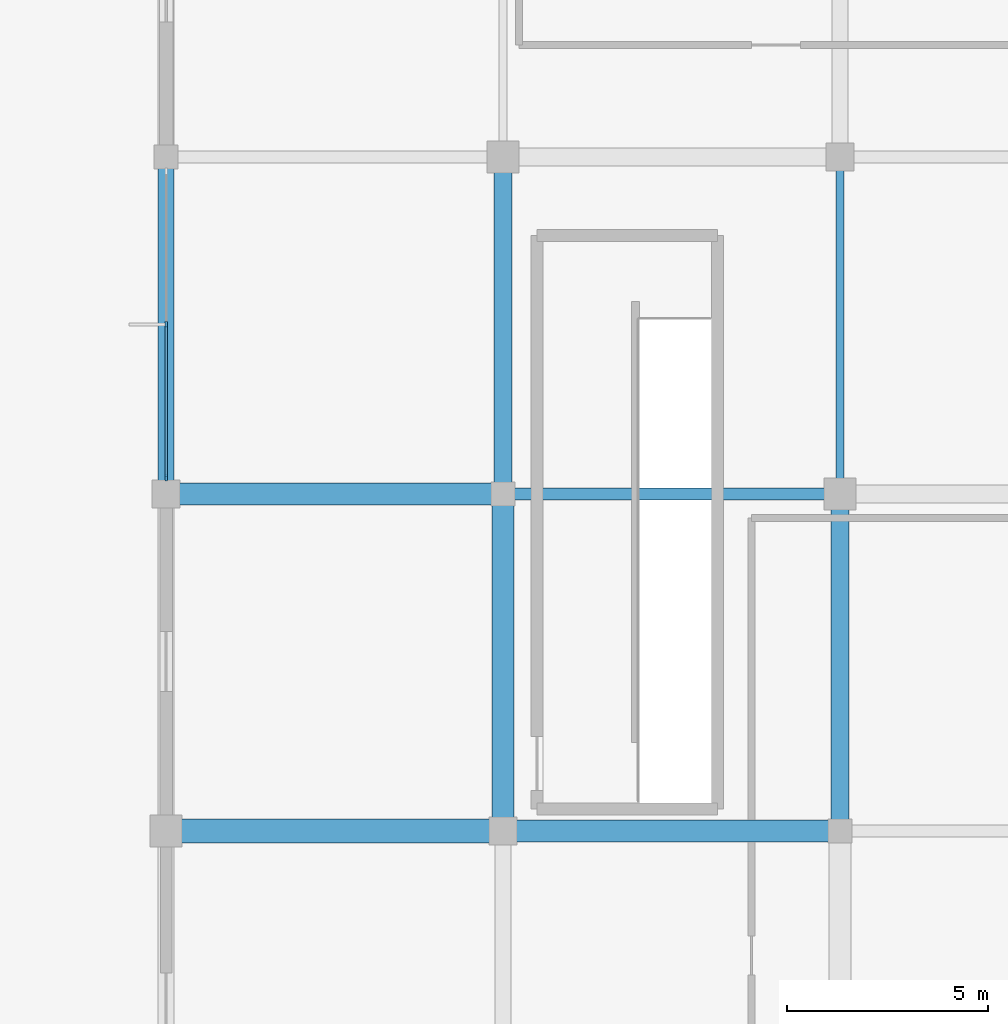
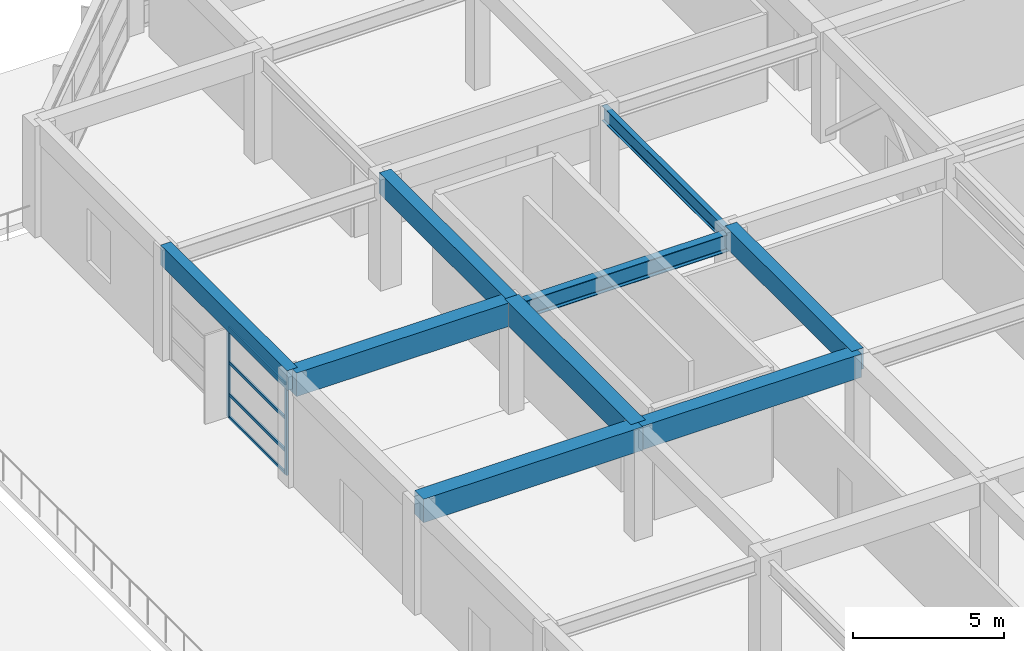
# One storey, part 14 of 56: 9 beams, 6 members, 1 element without a shape of its own.
"""IFC4 building model written with IfcOpenShell, lengths in metres."""

from ifc_helpers import new_model, si_unit, direction, frame, origin, origin_2d, place, context, subcontext, project, spatial, rectangle, i_section, extrude, material, material_profile, profile_set, type_object, element, aggregate, save


model = new_model("IFC4")

# Units and contexts
model_context = context("Model", 3, precision=1e-05, world=origin(), true_north=direction((0.0, 1.0)))
body_context = subcontext(model_context, "Body", "Model", "MODEL_VIEW")
ifc_project = project(units=[si_unit("LENGTHUNIT", "METRE"), si_unit("AREAUNIT", "SQUARE_METRE"), si_unit("VOLUMEUNIT", "CUBIC_METRE"), si_unit("PLANEANGLEUNIT", "RADIAN"), si_unit("MASSUNIT", "GRAM", prefix="KILO")], contexts=[model_context])

# Site, building, storey
site_placement = place(None, origin())
site = spatial("IfcSite", under=ifc_project, at=site_placement, CompositionType="ELEMENT")
building_placement = place(site_placement, origin())
building = spatial("IfcBuilding", under=site, at=building_placement, Name="Xuanlan Plaza Opera House", CompositionType="ELEMENT")
storey_placement = place(building_placement, frame((0.0, 0.0, 18.89990234375)))
storey = spatial("IfcBuildingStorey", under=building, at=storey_placement, Name="L04", CompositionType="ELEMENT", Elevation=18.89990234375)

# Curtain wall, members
ifc_material_1 = material(Name="Anodised Aluminium 6063-T6 and Low-E Glass", Category="aluminium")
curtain_wall_type = type_object("IfcCurtainWallType", Name="ENV-CW-CW-03", PredefinedType="USERDEFINED", material=ifc_material_1)
curtain_wall_placement = place(storey_placement, origin())
curtain_wall = element("IfcCurtainWall", 1, at=curtain_wall_placement, inside=storey, type_object=curtain_wall_type, Name="Unitised Curtain Wall L04-045", ObjectType="UNITISED CURTAIN WALL", PredefinedType="USERDEFINED")
ifc_material_2 = material(Name="Anodised Aluminium 6063-T6", Category="aluminium")
ifc_material_profile_1 = material_profile(ifc_material_2, rectangle(XDim=0.06494140625, YDim=0.159912109375, at=origin_2d()), Name="ALU-M 65x160")
ifc_profile_set_1 = profile_set([ifc_material_profile_1], Name="Anodised Aluminium 6063-T6")
member_type_1 = type_object("IfcMemberType", Name="ENV-CWM-01", PredefinedType="MULLION", material=ifc_profile_set_1)
member_1_placement = place(storey_placement, frame((16.800048828125, 79.824951171875, 0.0), z_axis=(0.0, 0.0, 1.0), x_axis=(1.0, 0.0, 0.0)))
member_1 = element("IfcMember", 2, at=member_1_placement, type_object=member_type_1, Name="CW-03 mullion 2", PredefinedType="MULLION", context=body_context, shape_type="SweptSolid", body=[
    extrude(rectangle(XDim=0.06494140625, YDim=0.159912109375, at=origin_2d()), origin(), (0.0, 0.0, 1.0), 3.68017578125),
])
member_2_placement = place(storey_placement, frame((16.800048828125, 76.00244140625, 0.0), z_axis=(0.0, 0.0, 1.0), x_axis=(1.0, 0.0, 0.0)))
member_2 = element("IfcMember", 3, at=member_2_placement, type_object=member_type_1, Name="CW-03 mullion 3", PredefinedType="MULLION", context=body_context, shape_type="SweptSolid", body=[
    extrude(rectangle(XDim=0.06494140625, YDim=0.159912109375, at=origin_2d()), origin(), (0.0, 0.0, 1.0), 3.68017578125),
])
ifc_material_profile_2 = material_profile(ifc_material_2, rectangle(XDim=0.06494140625, YDim=0.1201171875, at=origin_2d()), Name="ALU-T 65x120")
ifc_profile_set_2 = profile_set([ifc_material_profile_2], Name="Anodised Aluminium 6063-T6")
member_type_2 = type_object("IfcMemberType", Name="ENV-CWT-01", PredefinedType="USERDEFINED", material=ifc_profile_set_2)
member_3_placement = place(storey_placement, frame((16.800048828125, 79.79248046875, 0.03271484375), z_axis=(0.0, -1.0, 0.0), x_axis=(1.0, 0.0, 0.0)))
member_3 = element("IfcMember", 4, at=member_3_placement, type_object=member_type_2, Name="CW-03 transom 2.1", ObjectType="TRANSOM", PredefinedType="USERDEFINED", context=body_context, shape_type="SweptSolid", body=[
    extrude(rectangle(XDim=0.06494140625, YDim=0.1201171875, at=origin_2d()), origin(), (0.0, 0.0, 1.0), 3.757568359375),
])
member_4_placement = place(storey_placement, frame((16.800048828125, 79.79248046875, 0.9501953125), z_axis=(0.0, -1.0, 0.0), x_axis=(1.0, 0.0, 0.0)))
member_4 = element("IfcMember", 5, at=member_4_placement, type_object=member_type_2, Name="CW-03 transom 2.2", ObjectType="TRANSOM", PredefinedType="USERDEFINED", context=body_context, shape_type="SweptSolid", body=[
    extrude(rectangle(XDim=0.06494140625, YDim=0.1201171875, at=origin_2d()), origin(), (0.0, 0.0, 1.0), 3.757568359375),
])
member_5_placement = place(storey_placement, frame((16.800048828125, 79.79248046875, 2.25), z_axis=(0.0, -1.0, 0.0), x_axis=(1.0, 0.0, 0.0)))
member_5 = element("IfcMember", 6, at=member_5_placement, type_object=member_type_2, Name="CW-03 transom 2.3", ObjectType="TRANSOM", PredefinedType="USERDEFINED", context=body_context, shape_type="SweptSolid", body=[
    extrude(rectangle(XDim=0.06494140625, YDim=0.1201171875, at=origin_2d()), origin(), (0.0, 0.0, 1.0), 3.757568359375),
])
member_6_placement = place(storey_placement, frame((16.800048828125, 79.79248046875, 3.647705078125), z_axis=(0.0, -1.0, 0.0), x_axis=(1.0, 0.0, 0.0)))
member_6 = element("IfcMember", 7, at=member_6_placement, type_object=member_type_2, Name="CW-03 transom 2.4", ObjectType="TRANSOM", PredefinedType="USERDEFINED", context=body_context, shape_type="SweptSolid", body=[
    extrude(rectangle(XDim=0.06494140625, YDim=0.1201171875, at=origin_2d()), origin(), (0.0, 0.0, 1.0), 3.757568359375),
])
aggregate(curtain_wall, [member_1, member_2, member_3, member_4, member_5, member_6])

# Beams
ifc_material_3 = material(Name="Concrete C50", Category="concrete")
ifc_material_profile_3 = material_profile(ifc_material_3, rectangle(XDim=0.60009765625, YDim=0.949951171875, at=origin_2d()), Name="RC-BM 600x950")
ifc_profile_set_3 = profile_set([ifc_material_profile_3], Name="Concrete C50")
beam_type_1 = type_object("IfcBeamType", Name="STR-BM-B-01", PredefinedType="BEAM", material=ifc_profile_set_3)
beam_1_placement = place(storey_placement, frame((16.800048828125, 67.199951171875, 4.025146484375), z_axis=(1.0, 0.0, 0.0), x_axis=(0.0, 1.0, 0.0)))
element("IfcBeam", 8, at=beam_1_placement, inside=storey, type_object=beam_type_1, Name="Grid Beam X L04 3-4/I", PredefinedType="BEAM", context=body_context, shape_type="SweptSolid", body=[
    extrude(rectangle(XDim=0.60009765625, YDim=0.949951171875, at=origin_2d()), origin(), (0.0, 0.0, 1.0), 8.39990234375),
])
ifc_material_profile_4 = material_profile(ifc_material_3, rectangle(XDim=0.550048828125, YDim=0.949951171875, at=origin_2d()), Name="RC-BM 550x950")
ifc_profile_set_4 = profile_set([ifc_material_profile_4], Name="Concrete C50")
beam_type_2 = type_object("IfcBeamType", Name="STR-BM-B-02", PredefinedType="BEAM", material=ifc_profile_set_4)
beam_2_placement = place(storey_placement, frame((25.199951171875, 67.199951171875, 4.025146484375), z_axis=(1.0, 0.0, 0.0), x_axis=(0.0, 1.0, 0.0)))
element("IfcBeam", 9, at=beam_2_placement, inside=storey, type_object=beam_type_2, Name="Grid Beam X L04 4-5/I", PredefinedType="BEAM", context=body_context, shape_type="SweptSolid", body=[
    extrude(rectangle(XDim=0.550048828125, YDim=0.949951171875, at=origin_2d()), origin(), (0.0, 0.0, 1.0), 8.400146484375),
])
beam_3_placement = place(storey_placement, frame((16.800048828125, 75.60009765625, 4.025146484375), z_axis=(1.0, 0.0, 0.0), x_axis=(0.0, 1.0, 0.0)))
element("IfcBeam", 10, at=beam_3_placement, inside=storey, type_object=beam_type_2, Name="Grid Beam X L04 3-4/J", PredefinedType="BEAM", context=body_context, shape_type="SweptSolid", body=[
    extrude(rectangle(XDim=0.550048828125, YDim=0.949951171875, at=origin_2d()), origin(), (0.0, 0.0, 1.0), 8.39990234375),
])
beam_4_placement = place(storey_placement, frame((25.199951171875, 67.199951171875, 4.025146484375), z_axis=(0.0, 1.0, 0.0), x_axis=(-1.0, 0.0, 0.0)))
element("IfcBeam", 11, at=beam_4_placement, inside=storey, type_object=beam_type_2, Name="Grid Beam Y L04 4/I-J", PredefinedType="BEAM", context=body_context, shape_type="SweptSolid", body=[
    extrude(rectangle(XDim=0.550048828125, YDim=0.949951171875, at=origin_2d()), origin(), (0.0, 0.0, 1.0), 8.400146484375),
])
ifc_material_4 = material(Name="Concrete C40", Category="concrete")
ifc_material_profile_5 = material_profile(ifc_material_4, rectangle(XDim=0.449951171875, YDim=0.85009765625, at=origin_2d()), Name="RC-BM 450x850")
ifc_profile_set_5 = profile_set([ifc_material_profile_5], Name="Concrete C40")
beam_type_3 = type_object("IfcBeamType", Name="STR-BM-B-04", PredefinedType="BEAM", material=ifc_profile_set_5)
beam_5_placement = place(storey_placement, frame((25.199951171875, 75.60009765625, 4.0751953125), z_axis=(0.0, 1.0, 0.0), x_axis=(-1.0, 0.0, 0.0)))
element("IfcBeam", 12, at=beam_5_placement, inside=storey, type_object=beam_type_3, Name="Grid Beam Y L04 4/J-K", PredefinedType="BEAM", context=body_context, shape_type="SweptSolid", body=[
    extrude(rectangle(XDim=0.449951171875, YDim=0.85009765625, at=origin_2d()), origin(), (0.0, 0.0, 1.0), 8.39990234375),
])
beam_6_placement = place(storey_placement, frame((33.60009765625, 67.199951171875, 4.0751953125), z_axis=(0.0, 1.0, 0.0), x_axis=(-1.0, 0.0, 0.0)))
element("IfcBeam", 13, at=beam_6_placement, inside=storey, type_object=beam_type_3, Name="Grid Beam Y L04 5/I-J", PredefinedType="BEAM", context=body_context, shape_type="SweptSolid", body=[
    extrude(rectangle(XDim=0.449951171875, YDim=0.85009765625, at=origin_2d()), origin(), (0.0, 0.0, 1.0), 8.400146484375),
])
ifc_material_5 = material(Name="Steel Q355B", Category="steel")
ifc_material_profile_6 = material_profile(ifc_material_5, i_section(OverallWidth=0.300048828125, OverallDepth=0.699951171875, WebThickness=0.012939453125, FlangeThickness=0.02392578125, FilletRadius=0.02392578125, at=origin_2d()), Name="HN 700x300x13x24")
ifc_profile_set_6 = profile_set([ifc_material_profile_6], Name="Steel Q355B")
beam_type_4 = type_object("IfcBeamType", Name="STR-BM-SB-03", PredefinedType="BEAM", material=ifc_profile_set_6)
beam_7_placement = place(storey_placement, frame((25.199951171875, 75.60009765625, 3.885009765625), z_axis=(1.0, 0.0, 0.0), x_axis=(0.0, 1.0, 0.0)))
element("IfcBeam", 14, at=beam_7_placement, inside=storey, type_object=beam_type_4, Name="Grid Beam X L04 4-5/J", PredefinedType="BEAM", context=body_context, shape_type="SweptSolid", body=[
    extrude(i_section(OverallWidth=0.300048828125, OverallDepth=0.699951171875, WebThickness=0.012939453125, FlangeThickness=0.02392578125, FilletRadius=0.02392578125, at=origin_2d()), origin(), (0.0, 0.0, 1.0), 8.400146484375),
])
ifc_material_profile_7 = material_profile(ifc_material_5, i_section(OverallWidth=0.199951171875, OverallDepth=0.60009765625, WebThickness=0.010986328125, FlangeThickness=0.01708984375, FilletRadius=0.02197265625, at=origin_2d()), Name="HN 600x200x11x17")
ifc_profile_set_7 = profile_set([ifc_material_profile_7], Name="Steel Q355B")
beam_type_5 = type_object("IfcBeamType", Name="STR-BM-SB-04", PredefinedType="BEAM", material=ifc_profile_set_7)
beam_8_placement = place(storey_placement, frame((33.60009765625, 75.60009765625, 3.93505859375), z_axis=(0.0, 1.0, 0.0), x_axis=(-1.0, 0.0, 0.0)))
element("IfcBeam", 15, at=beam_8_placement, inside=storey, type_object=beam_type_5, Name="Grid Beam Y L04 5/J-K", PredefinedType="BEAM", context=body_context, shape_type="SweptSolid", body=[
    extrude(i_section(OverallWidth=0.199951171875, OverallDepth=0.60009765625, WebThickness=0.010986328125, FlangeThickness=0.01708984375, FilletRadius=0.02197265625, at=origin_2d()), origin(), (0.0, 0.0, 1.0), 8.39990234375),
])
ifc_material_profile_8 = material_profile(ifc_material_4, rectangle(XDim=0.39990234375, YDim=0.800048828125, at=origin_2d()), Name="RC-SPD 400x800")
ifc_profile_set_8 = profile_set([ifc_material_profile_8], Name="Concrete C40")
beam_type_6 = type_object("IfcBeamType", Name="STR-BM-SP-01", PredefinedType="SPANDREL", material=ifc_profile_set_8)
beam_9_placement = place(storey_placement, frame((16.800048828125, 75.60009765625, 4.10009765625), z_axis=(0.0, 1.0, 0.0), x_axis=(-1.0, 0.0, 0.0)))
element("IfcBeam", 16, at=beam_9_placement, inside=storey, type_object=beam_type_6, Name="Grid Beam Y L04 3/J-K", PredefinedType="SPANDREL", context=body_context, shape_type="SweptSolid", body=[
    extrude(rectangle(XDim=0.39990234375, YDim=0.800048828125, at=origin_2d()), origin(), (0.0, 0.0, 1.0), 8.39990234375),
])

save(model, "model.ifc")
